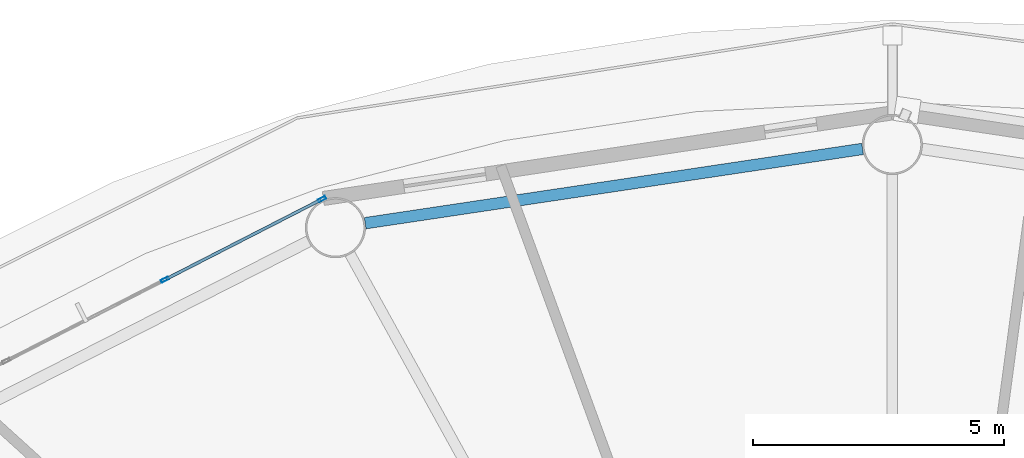
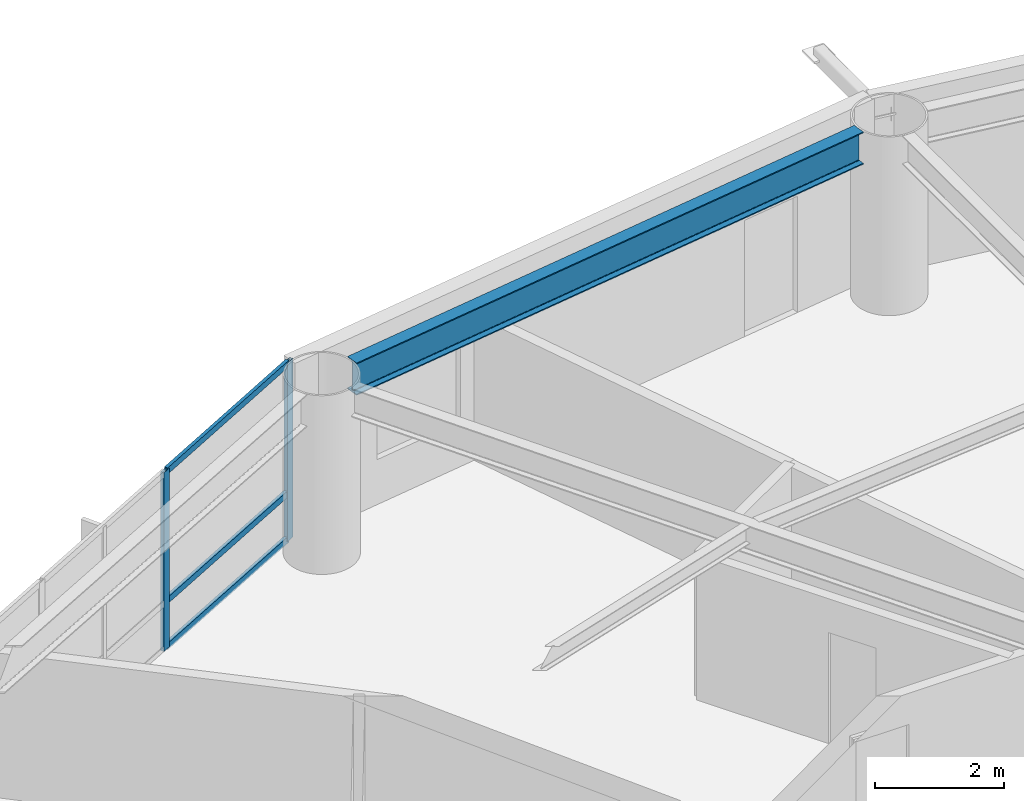
# One storey, part 10 of 24: 5 members, 1 beam, 1 element without a shape of its own.
"""IFC4 building model written with IfcOpenShell, lengths in metres."""

from ifc_helpers import new_model, si_unit, direction, frame, origin, origin_2d, place, context, subcontext, project, spatial, hollow_rectangle, i_section, extrude, material, layer, layer_set, material_profile, profile_set, type_object, element, aggregate, save


model = new_model("IFC4")

# Units and contexts
model_context = context("Model", 3, precision=1e-05, world=origin(), true_north=direction((0.0, 1.0)))
body_context = subcontext(model_context, "Body", "Model", "MODEL_VIEW")
ifc_project = project(units=[si_unit("LENGTHUNIT", "METRE"), si_unit("AREAUNIT", "SQUARE_METRE"), si_unit("VOLUMEUNIT", "CUBIC_METRE"), si_unit("PLANEANGLEUNIT", "RADIAN"), si_unit("MASSUNIT", "GRAM", prefix="KILO")], contexts=[model_context])

# Site, building, storey
site_placement = place(None, origin())
site = spatial("IfcSite", under=ifc_project, at=site_placement, CompositionType="ELEMENT")
building_placement = place(site_placement, origin())
building = spatial("IfcBuilding", under=site, at=building_placement, Name="Sarneth Arch Tower", CompositionType="ELEMENT")
storey_placement = place(building_placement, frame((0.0, 0.0, 105.60009765625)))
storey = spatial("IfcBuildingStorey", under=building, at=storey_placement, Name="L26", CompositionType="ELEMENT", Elevation=105.60009765625)

# Beam
ifc_material_1 = material(Name="Steel S355", Category="steel")
ifc_material_profile_1 = material_profile(ifc_material_1, i_section(OverallWidth=0.22900390625, OverallDepth=0.612060546875, WebThickness=0.011962890625, FlangeThickness=0.01953125, FilletRadius=0.01904296875, at=origin_2d()), Name="W610x125")
ifc_profile_set_1 = profile_set([ifc_material_profile_1], Name="Steel S355")
beam_type = type_object("IfcBeamType", Name="BM-SPAN-610C", PredefinedType="SPANDREL", material=ifc_profile_set_1)
beam_placement = place(storey_placement, frame((47.406494140625, 63.71142578125, 3.073974609375), z_axis=(-0.989028613319, -0.147724073992, 0.0), x_axis=(0.147724073992, -0.989028613319, 0.0)))
element("IfcBeam", 1, at=beam_placement, inside=storey, type_object=beam_type, Name="L26 Perimeter spandrel beam 05", PredefinedType="SPANDREL", context=body_context, shape_type="SweptSolid", body=[
    extrude(i_section(OverallWidth=0.22900390625, OverallDepth=0.612060546875, WebThickness=0.011962890625, FlangeThickness=0.01953125, FilletRadius=0.01904296875, at=origin_2d()), origin(), (0.0, 0.0, 1.0), 10.033447265625),
])

# Curtain wall, members
ifc_material_2 = material(Name="Anodised aluminium Type AA25 and solar-control low-e laminated IGU", Category="aluminium")
ifc_layer = layer(ifc_material_2, 0.159912109375)
ifc_layer_set = layer_set([ifc_layer], Name="Anodised aluminium Type AA25 and solar-control low-e laminated IGU")
curtain_wall_type = type_object("IfcCurtainWallType", Name="CW-HOTEL-MID", PredefinedType="NOTDEFINED", material=ifc_layer_set)
curtain_wall_placement = place(storey_placement, origin())
curtain_wall = element("IfcCurtainWall", 2, at=curtain_wall_placement, inside=storey, type_object=curtain_wall_type, Name="L26 Unitised curtain wall facet 06", PredefinedType="NOTDEFINED")
ifc_material_3 = material(Name="Anodised Aluminium 6063-T6", Category="aluminium")
ifc_material_profile_2 = material_profile(ifc_material_3, hollow_rectangle(XDim=0.06005859375, YDim=0.159912109375, WallThickness=0.00390625, at=origin_2d()), Name="AL-MULL-160x60x4")
ifc_profile_set_2 = profile_set([ifc_material_profile_2], Name="Anodised Aluminium 6063-T6")
member_type_1 = type_object("IfcMemberType", Name="CW-MULLION", PredefinedType="MULLION", material=ifc_profile_set_2)
member_1_placement = place(storey_placement, frame((36.6220703125, 62.708984375, 0.0), z_axis=(0.0, 0.0, 1.0), x_axis=(0.456031365356, -0.889963703649, 0.0)))
member_1 = element("IfcMember", 3, at=member_1_placement, type_object=member_type_1, Name="CW-SYS-4 mullion 1", PredefinedType="MULLION", context=body_context, shape_type="SweptSolid", body=[
    extrude(hollow_rectangle(XDim=0.06005859375, YDim=0.159912109375, WallThickness=0.00390625, at=origin_2d()), origin(), (0.0, 0.0, 1.0), 3.3798828125),
])
member_2_placement = place(storey_placement, frame((33.48583984375, 61.101806640625, 0.0), z_axis=(0.0, 0.0, 1.0), x_axis=(0.456031365356, -0.889963703649, 0.0)))
member_2 = element("IfcMember", 4, at=member_2_placement, type_object=member_type_1, Name="CW-SYS-4 mullion 2", PredefinedType="MULLION", context=body_context, shape_type="SweptSolid", body=[
    extrude(hollow_rectangle(XDim=0.06005859375, YDim=0.159912109375, WallThickness=0.00390625, at=origin_2d()), origin(), (0.0, 0.0, 1.0), 3.3798828125),
])
ifc_material_4 = material(Name="Anodised Aluminium 6063-T6", Category="aluminium")
ifc_material_profile_3 = material_profile(ifc_material_4, hollow_rectangle(XDim=0.06005859375, YDim=0.1201171875, WallThickness=0.00390625, at=origin_2d()), Name="AL-TRAN-120x60x4")
ifc_profile_set_3 = profile_set([ifc_material_profile_3], Name="Anodised Aluminium 6063-T6")
member_type_2 = type_object("IfcMemberType", Name="CW-TRANSOM", PredefinedType="USERDEFINED", material=ifc_profile_set_3)
member_3_placement = place(storey_placement, frame((36.595458984375, 62.6953125, 0.02978515625), z_axis=(-0.889957563627, -0.456043347658, 0.0), x_axis=(0.456043347658, -0.889957563627, 0.0)))
member_3 = element("IfcMember", 5, at=member_3_placement, type_object=member_type_2, Name="CW-SYS-4 transom 1.1", ObjectType="TRANSOM", PredefinedType="USERDEFINED", context=body_context, shape_type="SweptSolid", body=[
    extrude(hollow_rectangle(XDim=0.06005859375, YDim=0.1201171875, WallThickness=0.00390625, at=origin_2d()), origin(), (0.0, 0.0, 1.0), 3.464111328125),
])
member_4_placement = place(storey_placement, frame((36.595458984375, 62.6953125, 0.89990234375), z_axis=(-0.889957563627, -0.456043347658, 0.0), x_axis=(0.456043347658, -0.889957563627, 0.0)))
member_4 = element("IfcMember", 6, at=member_4_placement, type_object=member_type_2, Name="CW-SYS-4 transom 1.2", ObjectType="TRANSOM", PredefinedType="USERDEFINED", context=body_context, shape_type="SweptSolid", body=[
    extrude(hollow_rectangle(XDim=0.06005859375, YDim=0.1201171875, WallThickness=0.00390625, at=origin_2d()), origin(), (0.0, 0.0, 1.0), 3.464111328125),
])
member_5_placement = place(storey_placement, frame((36.595458984375, 62.6953125, 3.349853515625), z_axis=(-0.889957563627, -0.456043347658, 0.0), x_axis=(0.456043347658, -0.889957563627, 0.0)))
member_5 = element("IfcMember", 7, at=member_5_placement, type_object=member_type_2, Name="CW-SYS-4 transom 1.3", ObjectType="TRANSOM", PredefinedType="USERDEFINED", context=body_context, shape_type="SweptSolid", body=[
    extrude(hollow_rectangle(XDim=0.06005859375, YDim=0.1201171875, WallThickness=0.00390625, at=origin_2d()), origin(), (0.0, 0.0, 1.0), 3.464111328125),
])
aggregate(curtain_wall, [member_1, member_2, member_3, member_4, member_5])

save(model, "model.ifc")
